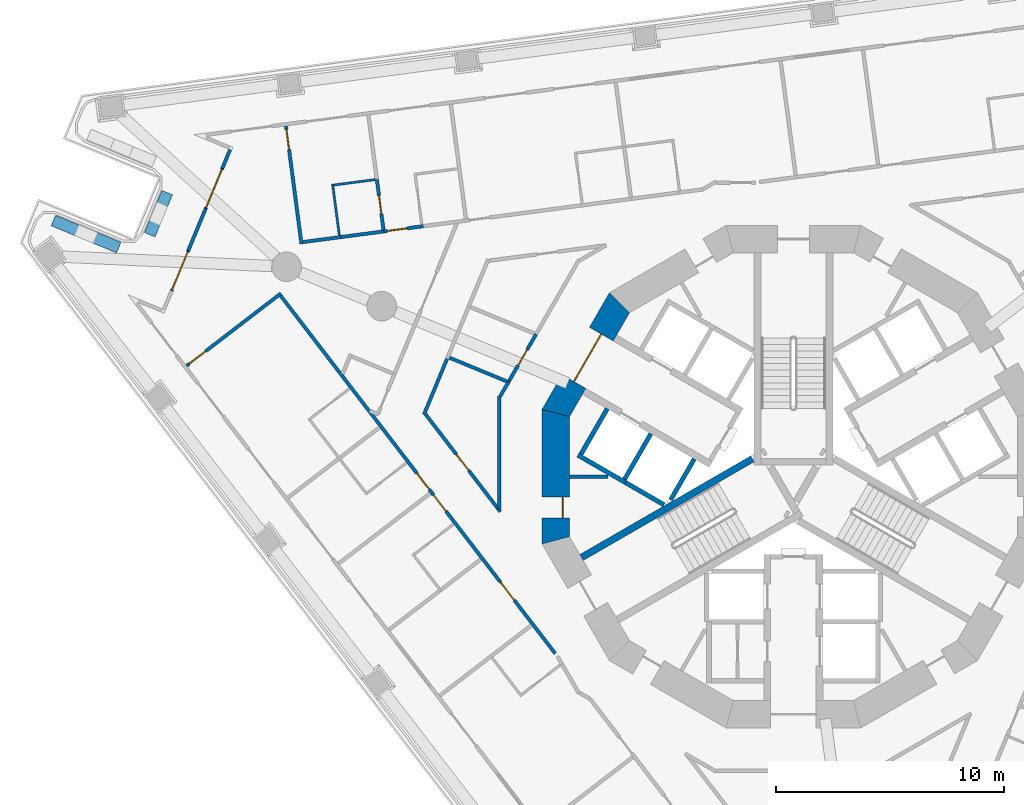
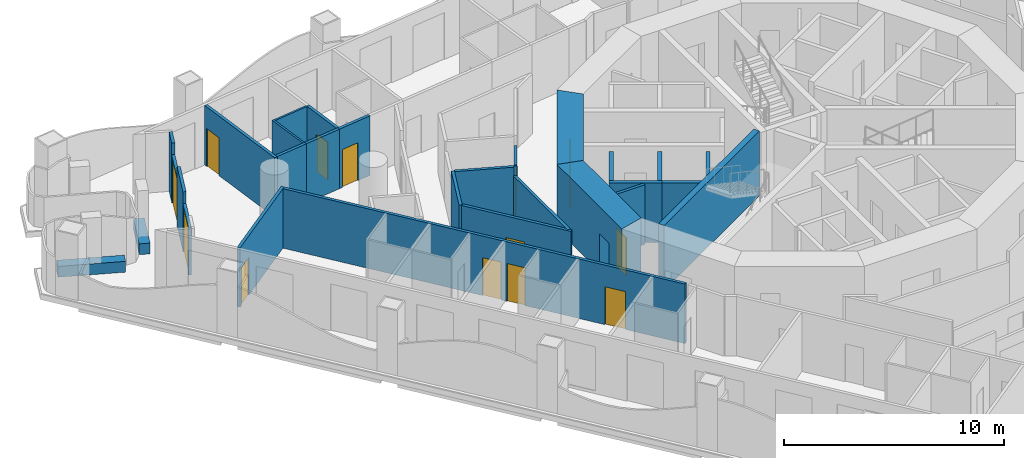
# One storey, part 6 of 19: 30 walls, 13 doors, 13 openings.
"""IFC4 building model written with IfcOpenShell, lengths in metres."""

from ifc_helpers import new_model, si_unit, direction, frame, frame_2d, origin, place, context, subcontext, project, spatial, polyline, rectangle, outline, extrude, material, layer, layer_set, type_object, element, fill, save


model = new_model("IFC4")

# Units and contexts
model_context = context("Model", 3, precision=1e-05, world=origin(), true_north=direction((0.0, 1.0)))
body_context = subcontext(model_context, "Body", "Model", "MODEL_VIEW")
ifc_project = project(units=[si_unit("LENGTHUNIT", "METRE"), si_unit("AREAUNIT", "SQUARE_METRE"), si_unit("VOLUMEUNIT", "CUBIC_METRE"), si_unit("PLANEANGLEUNIT", "RADIAN"), si_unit("MASSUNIT", "GRAM", prefix="KILO")], contexts=[model_context])

# Site, building, storey
site_placement = place(None, origin())
site = spatial("IfcSite", under=ifc_project, at=site_placement, CompositionType="ELEMENT")
building_placement = place(site_placement, origin())
building = spatial("IfcBuilding", under=site, at=building_placement, Name="Trine Commons Tower", CompositionType="ELEMENT")
storey_placement = place(building_placement, frame((0.0, 0.0, 64.800048828125)))
storey = spatial("IfcBuildingStorey", under=building, at=storey_placement, Name="L15", CompositionType="ELEMENT", Elevation=64.800048828125)

# Wall
ifc_material_1 = material(Name="Plasterboard partition on steel studs", Category="steel")
ifc_layer_1 = layer(ifc_material_1, 0.14990234375)
ifc_layer_set_1 = layer_set([ifc_layer_1], Name="Plasterboard partition on steel studs")
wall_type_1 = type_object("IfcWallType", Name="Core room partition 150 mm, EI 60", PredefinedType="PARTITIONING", material=ifc_layer_set_1)
wall_1_placement = place(storey_placement, frame((70.18798828125, 62.5, 0.0), z_axis=(0.0, 0.0, 1.0), x_axis=(1.0, 0.0, 0.0)))
element("IfcWall", 1, at=wall_1_placement, inside=storey, type_object=wall_type_1, Name="Core room partition L15", PredefinedType="PARTITIONING", context=body_context, shape_type="SweptSolid", body=[
    extrude(rectangle(XDim=1.68310546875, YDim=0.14990234375, at=frame_2d((0.841552734375, 0.0))), origin(), (0.0, 0.0, 1.0), 3.300048828125),
])

# Wall, opening, door
ifc_material_2 = material(Name="Aluminium-framed insulated wall panel", Category="aluminium")
ifc_layer_2 = layer(ifc_material_2, 0.14990234375)
ifc_layer_set_2 = layer_set([ifc_layer_2], Name="Aluminium-framed insulated wall panel")
wall_type_2 = type_object("IfcWallType", Name="Glazed frame wall 150, EI 60", PredefinedType="SOLIDWALL", material=ifc_layer_set_2)
wall_2_placement = place(storey_placement, frame((52.7548828125, 70.646240234375, 0.0), z_axis=(0.0, 0.0, 1.0), x_axis=(0.382771661121, 0.923842982028, 0.0)))
wall_2 = element("IfcWall", 2, at=wall_2_placement, inside=storey, type_object=wall_type_2, Name="Glazed frame wall P1.2", PredefinedType="SOLIDWALL", context=body_context, shape_type="SweptSolid", body=[
    extrude(outline(polyline([(0.0, -0.074951171875), (1.89990234375, -0.074951171875), (1.89990234375, 0.074951171875), (0.0, 0.074951171875), (0.0, -0.074951171875)])), origin(), (0.0, 0.0, 1.0), 2.64990234375),
])
opening_1_placement = place(wall_2_placement, frame((0.050048828125, 0.0, 0.0)))
opening_1 = element("IfcOpeningElement", 3, at=opening_1_placement, cuts=wall_2, Name="Opening BD-2P1-01", PredefinedType="OPENING", context=body_context, shape_type="SweptSolid", body=[
    extrude(rectangle(XDim=1.800048828125, YDim=2.60009765625, at=frame_2d((0.89990234375, 1.300048828125))), frame((0.0, 0.0849609375, 0.0), z_axis=(0.0, -1.0, 0.0), x_axis=(1.0, 0.0, 0.0)), (0.0, 0.0, 1.0), 0.169921875),
])
ifc_material_3 = material(Name="Anodised aluminium frame with double glazing", Category="aluminium")
door_type_1 = type_object("IfcDoorType", Name="Sliding loggia door 1800x2600", OperationType="SLIDING_TO_LEFT", PredefinedType="DOOR", material=ifc_material_3)
door_1_placement = place(opening_1_placement, origin())
door_1 = element("IfcDoor", 4, at=door_1_placement, inside=storey, type_object=door_type_1, Name="Loggia door P1 1", OperationType="SLIDING_TO_LEFT", OverallHeight=2.60009765625, OverallWidth=1.800048828125, PredefinedType="DOOR", context=body_context, shape_type="SweptSolid", body=[
    extrude(rectangle(XDim=1.800048828125, YDim=2.60009765625, at=frame_2d((0.89990234375, 1.300048828125))), frame((0.0, 0.02490234375, 0.0), z_axis=(0.0, -1.0, 0.0), x_axis=(1.0, 0.0, 0.0)), (0.0, 0.0, 1.0), 0.050048828125),
])
fill(opening_1, door_1)

# Wall
wall_3_placement = place(storey_placement, frame((53.482177734375, 72.401611328125, 0.0), z_axis=(0.0, 0.0, 1.0), x_axis=(0.382664423091, 0.923887406181, 0.0)))
element("IfcWall", 5, at=wall_3_placement, inside=storey, type_object=wall_type_2, Name="Glazed frame wall P1.3", PredefinedType="SOLIDWALL", context=body_context, shape_type="SweptSolid", body=[
    extrude(outline(polyline([(0.0, -0.074951171875), (2.0, -0.074951171875), (2.0, 0.074951171875), (0.0, 0.074951171875), (0.0, -0.074951171875)])), origin(), (0.0, 0.0, 1.0), 3.300048828125),
])

# Wall, opening, door
wall_4_placement = place(storey_placement, frame((54.24755859375, 74.24951171875, 0.0), z_axis=(0.0, 0.0, 1.0), x_axis=(0.382661988648, 0.923888414498, 0.0)))
wall_4 = element("IfcWall", 6, at=wall_4_placement, inside=storey, type_object=wall_type_2, Name="Glazed frame wall P1.4", PredefinedType="SOLIDWALL", context=body_context, shape_type="SweptSolid", body=[
    extrude(outline(polyline([(0.0, -0.074951171875), (1.89990234375, -0.074951171875), (1.89990234375, 0.074951171875), (0.0, 0.074951171875), (0.0, -0.074951171875)])), origin(), (0.0, 0.0, 1.0), 2.64990234375),
])
opening_2_placement = place(wall_4_placement, frame((0.050048828125, 0.0, 0.0)))
opening_2 = element("IfcOpeningElement", 7, at=opening_2_placement, cuts=wall_4, Name="Opening BD-2P1-02", PredefinedType="OPENING", context=body_context, shape_type="SweptSolid", body=[
    extrude(rectangle(XDim=1.800048828125, YDim=2.60009765625, at=frame_2d((0.89990234375, 1.300048828125))), frame((0.0, 0.0849609375, 0.0), z_axis=(0.0, -1.0, 0.0), x_axis=(1.0, 0.0, 0.0)), (0.0, 0.0, 1.0), 0.169921875),
])
door_2_placement = place(opening_2_placement, origin())
door_2 = element("IfcDoor", 8, at=door_2_placement, inside=storey, type_object=door_type_1, Name="Loggia door P1 2", OperationType="SLIDING_TO_LEFT", OverallHeight=2.60009765625, OverallWidth=1.800048828125, PredefinedType="DOOR", context=body_context, shape_type="SweptSolid", body=[
    extrude(rectangle(XDim=1.800048828125, YDim=2.60009765625, at=frame_2d((0.89990234375, 1.300048828125))), frame((0.0, 0.02490234375, 0.0), z_axis=(0.0, -1.0, 0.0), x_axis=(1.0, 0.0, 0.0)), (0.0, 0.0, 1.0), 0.050048828125),
])
fill(opening_2, door_2)

# Walls
wall_5_placement = place(storey_placement, frame((54.974609375, 76.0048828125, 0.0), z_axis=(0.0, 0.0, 1.0), x_axis=(0.382811769845, 0.923826362943, 0.0)))
element("IfcWall", 9, at=wall_5_placement, inside=storey, type_object=wall_type_2, Name="Glazed frame wall P1.5", PredefinedType="SOLIDWALL", context=body_context, shape_type="SweptSolid", body=[
    extrude(outline(polyline([(0.889892578125, 0.074951171875), (0.0, 0.074951171875), (0.0, -0.074951171875), (0.889892578125, -0.074951171875), (0.889892578125, 0.074951171875)])), origin(), (0.0, 0.0, 1.0), 3.300048828125),
])
ifc_material_4 = material(Name="Planter trough, precast concrete C40/50", Category="concrete")
ifc_layer_3 = layer(ifc_material_4, 0.5)
ifc_layer_set_3 = layer_set([ifc_layer_3], Name="Planter trough, precast concrete C40/50")
wall_type_3 = type_object("IfcWallType", Name="Planter trough 500x600", PredefinedType="PARAPET", material=ifc_layer_set_3)
wall_6_placement = place(storey_placement, frame((47.5732421875, 73.723388671875, 0.0), z_axis=(0.0, 0.0, 1.0), x_axis=(0.923883411188, -0.382674068277, 0.0)))
element("IfcWall", 10, at=wall_6_placement, inside=storey, type_object=wall_type_3, Name="Planter 1", PredefinedType="PARAPET", context=body_context, shape_type="SweptSolid", body=[
    extrude(rectangle(XDim=3.099853515625, YDim=0.5, at=frame_2d((1.5498046875, 0.0))), origin(), (0.0, 0.0, 1.0), 0.599853515625),
])
wall_7_placement = place(storey_placement, frame((51.796142578125, 73.10009765625, 0.0), z_axis=(0.0, 0.0, 1.0), x_axis=(0.382603377961, 0.923912688068, 0.0)))
element("IfcWall", 11, at=wall_7_placement, inside=storey, type_object=wall_type_3, Name="Planter 2", PredefinedType="PARAPET", context=body_context, shape_type="SweptSolid", body=[
    extrude(rectangle(XDim=1.999755859375, YDim=0.5, at=frame_2d((1.0, 0.0))), origin(), (0.0, 0.0, 1.0), 0.599853515625),
])

# Wall, opening, door
ifc_material_5 = material(Name="Concrete C80/95", Category="concrete")
ifc_layer_4 = layer(ifc_material_5, 1.199951171875)
ifc_layer_set_4 = layer_set([ifc_layer_4], Name="Concrete C80/95")
wall_type_4 = type_object("IfcWallType", Name="RC shear wall 1200 mm, C80/95", PredefinedType="SHEAR", material=ifc_layer_set_4)
wall_8_placement = place(storey_placement, frame((72.45849609375, 70.260986328125, 0.0), z_axis=(0.0, 0.0, 1.0), x_axis=(-0.499979111662, -0.866037463336, 0.0)))
wall_8 = element("IfcWall", 12, at=wall_8_placement, inside=storey, type_object=wall_type_4, Name="Core wall CWB-06 L15", PredefinedType="SHEAR", context=body_context, shape_type="SweptSolid", body=[
    extrude(outline(polyline([(0.0, -0.60009765625), (5.901123046875, -0.60009765625), (5.57958984375, 0.60009765625), (0.321533203125, 0.60009765625), (0.0, -0.60009765625)])), origin(), (0.0, 0.0, 1.0), 3.599853515625),
])
opening_3_placement = place(wall_8_placement, frame((1.75048828125, 0.0, 0.0)))
opening_3 = element("IfcOpeningElement", 13, at=opening_3_placement, cuts=wall_8, Name="Opening K06.06", PredefinedType="OPENING", context=body_context, shape_type="SweptSolid", body=[
    extrude(rectangle(XDim=2.39990234375, YDim=2.10009765625, at=frame_2d((1.199951171875, 1.050048828125))), frame((0.0, 0.60986328125, 0.0), z_axis=(0.0, -1.0, 0.0), x_axis=(1.0, 0.0, 0.0)), (0.0, 0.0, 1.0), 1.219970703125),
])
ifc_material_6 = material(Name="Steel door leaves, fire-rated", Category="steel")
door_type_2 = type_object("IfcDoorType", Name="Lobby door, double leaf 2400 x 2100, FD60", OperationType="DOUBLE_DOOR_SINGLE_SWING", PredefinedType="DOOR", material=ifc_material_6)
door_3_placement = place(opening_3_placement, origin())
door_3 = element("IfcDoor", 14, at=door_3_placement, inside=storey, type_object=door_type_2, Name="Lobby door, Passenger lift lobby B L15", OperationType="DOUBLE_DOOR_SINGLE_SWING", OverallHeight=2.10009765625, OverallWidth=2.39990234375, PredefinedType="DOOR", context=body_context, shape_type="SweptSolid", body=[
    extrude(rectangle(XDim=2.39990234375, YDim=2.10009765625, at=frame_2d((1.199951171875, 1.050048828125))), frame((0.0, 0.02490234375, 0.0), z_axis=(0.0, -1.0, 0.0), x_axis=(1.0, 0.0, 0.0)), (0.0, 0.0, 1.0), 0.050048828125),
])
fill(opening_3, door_3)

wall_9_placement = place(storey_placement, frame((69.58837890625, 65.450439453125, 0.0), z_axis=(0.0, 0.0, 1.0), x_axis=(0.0, -1.0, 0.0)))
wall_9 = element("IfcWall", 15, at=wall_9_placement, inside=storey, type_object=wall_type_4, Name="Core wall CWB-07 L15", PredefinedType="SHEAR", context=body_context, shape_type="SweptSolid", body=[
    extrude(outline(polyline([(0.0, -0.60009765625), (5.90087890625, -0.60009765625), (5.57958984375, 0.60009765625), (0.321533203125, 0.60009765625), (0.0, -0.60009765625)])), origin(), (0.0, 0.0, 1.0), 3.599853515625),
])
opening_4_placement = place(wall_9_placement, frame((3.8505859375, 0.0, 0.0)))
opening_4 = element("IfcOpeningElement", 16, at=opening_4_placement, cuts=wall_9, Name="Opening K06.14", PredefinedType="OPENING", context=body_context, shape_type="SweptSolid", body=[
    extrude(rectangle(XDim=0.89990234375, YDim=2.10009765625, at=frame_2d((0.449951171875, 1.050048828125))), frame((0.0, 0.60986328125, 0.0), z_axis=(0.0, -1.0, 0.0), x_axis=(1.0, 0.0, 0.0)), (0.0, 0.0, 1.0), 1.219970703125),
])
ifc_material_7 = material(Name="Steel door leaf, fire-rated", Category="steel")
door_type_3 = type_object("IfcDoorType", Name="Core room door, single leaf 900 x 2100, FD30S", OperationType="SINGLE_SWING_LEFT", PredefinedType="DOOR", material=ifc_material_7)
door_4_placement = place(opening_4_placement, origin())
door_4 = element("IfcDoor", 17, at=door_4_placement, inside=storey, type_object=door_type_3, Name="Door to Comms room L15", OperationType="SINGLE_SWING_RIGHT", OverallHeight=2.10009765625, OverallWidth=0.89990234375, PredefinedType="DOOR", context=body_context, shape_type="SweptSolid", body=[
    extrude(rectangle(XDim=0.89990234375, YDim=2.10009765625, at=frame_2d((0.449951171875, 1.050048828125))), frame((0.0, 0.3251953125, 0.0), z_axis=(0.0, -1.0, 0.0), x_axis=(1.0, 0.0, 0.0)), (0.0, 0.0, 1.0), 0.050048828125),
])
fill(opening_4, door_4)

# Walls
ifc_layer_5 = layer(ifc_material_5, 0.300048828125)
ifc_layer_set_5 = layer_set([ifc_layer_5], Name="Concrete C80/95")
wall_type_5 = type_object("IfcWallType", Name="RC shear wall 300 mm, C80/95", PredefinedType="SHEAR", material=ifc_layer_set_5)
wall_10_placement = place(storey_placement, frame((78.199951171875, 63.280029296875, 0.0), z_axis=(0.0, 0.0, 1.0), x_axis=(-0.865965399159, -0.500103916661, 0.0)))
element("IfcWall", 18, at=wall_10_placement, inside=storey, type_object=wall_type_5, Name="Core cross wall SWA-07 L15", PredefinedType="SHEAR", context=body_context, shape_type="SweptSolid", body=[
    extrude(rectangle(XDim=8.642333984375, YDim=0.300048828125, at=frame_2d((4.3212890625, 0.0))), origin(), (0.0, 0.0, 1.0), 3.599853515625),
])
ifc_material_8 = material(Name="Fire-rated gypsum shaft wall system")
ifc_layer_6 = layer(ifc_material_8, 0.199951171875)
ifc_layer_set_6 = layer_set([ifc_layer_6], Name="Fire-rated gypsum shaft wall system")
wall_type_6 = type_object("IfcWallType", Name="Shaft wall 200 mm, EI 120", PredefinedType="PARTITIONING", material=ifc_layer_set_6)
wall_11_placement = place(storey_placement, frame((71.844970703125, 65.47607421875, 0.0), z_axis=(0.0, 0.0, 1.0), x_axis=(-0.500136062276, -0.86594683394, 0.0)))
element("IfcWall", 19, at=wall_11_placement, inside=storey, type_object=wall_type_6, Name="Shaft wall L15", PredefinedType="PARTITIONING", context=body_context, shape_type="SweptSolid", body=[
    extrude(rectangle(XDim=2.299072265625, YDim=0.199951171875, at=frame_2d((1.1494140625, 0.0))), origin(), (0.0, 0.0, 1.0), 3.300048828125),
])
wall_12_placement = place(storey_placement, frame((72.637939453125, 62.248046875, 0.0), z_axis=(0.0, 0.0, 1.0), x_axis=(-0.866177122335, 0.499737123639, 0.0)))
element("IfcWall", 20, at=wall_12_placement, inside=storey, type_object=wall_type_6, Name="Shaft wall L15", PredefinedType="PARTITIONING", context=body_context, shape_type="SweptSolid", body=[
    extrude(rectangle(XDim=2.401123046875, YDim=0.199951171875, at=frame_2d((1.20068359375, 0.0))), origin(), (0.0, 0.0, 1.0), 3.300048828125),
])
wall_13_placement = place(storey_placement, frame((73.7509765625, 64.3759765625, 0.0), z_axis=(0.0, 0.0, 1.0), x_axis=(-0.500136062276, -0.86594683394, 0.0)))
element("IfcWall", 21, at=wall_13_placement, inside=storey, type_object=wall_type_6, Name="Shaft wall L15", PredefinedType="PARTITIONING", context=body_context, shape_type="SweptSolid", body=[
    extrude(rectangle(XDim=2.299072265625, YDim=0.199951171875, at=frame_2d((1.1494140625, 0.0))), origin(), (0.0, 0.0, 1.0), 3.300048828125),
])
wall_14_placement = place(storey_placement, frame((74.324951171875, 61.27294921875, 0.0), z_axis=(0.0, 0.0, 1.0), x_axis=(-0.865780634835, 0.500423712812, 0.0)))
element("IfcWall", 22, at=wall_14_placement, inside=storey, type_object=wall_type_6, Name="Shaft wall L15", PredefinedType="PARTITIONING", context=body_context, shape_type="SweptSolid", body=[
    extrude(rectangle(XDim=1.948486328125, YDim=0.199951171875, at=frame_2d((0.97412109375, 0.0))), origin(), (0.0, 0.0, 1.0), 3.300048828125),
])
wall_15_placement = place(storey_placement, frame((75.656005859375, 63.27587890625, 0.0), z_axis=(0.0, 0.0, 1.0), x_axis=(-0.500271688072, -0.86586848777, 0.0)))
element("IfcWall", 23, at=wall_15_placement, inside=storey, type_object=wall_type_6, Name="Shaft wall L15", PredefinedType="PARTITIONING", context=body_context, shape_type="SweptSolid", body=[
    extrude(rectangle(XDim=2.064697265625, YDim=0.199951171875, at=frame_2d((1.0322265625, 0.0))), origin(), (0.0, 0.0, 1.0), 3.300048828125),
])

# Wall, opening, door
ifc_material_9 = material(Name="Gypsum plasterboard on steel stud", Category="steel")
ifc_layer_7 = layer(ifc_material_9, 0.14990234375)
ifc_layer_set_7 = layer_set([ifc_layer_7], Name="Gypsum plasterboard on steel stud")
wall_type_7 = type_object("IfcWallType", Name="Unit and corridor wall 150 mm, EI 60", PredefinedType="PARTITIONING", material=ifc_layer_set_7)
wall_16_placement = place(storey_placement, frame((53.41162109375, 67.3583984375, 0.0), z_axis=(0.0, 0.0, 1.0), x_axis=(0.793382437727, 0.608723506616, 0.0)))
wall_16 = element("IfcWall", 24, at=wall_16_placement, inside=storey, type_object=wall_type_7, Name="Partition 001", PredefinedType="PARTITIONING", context=body_context, shape_type="SweptSolid", body=[
    extrude(rectangle(XDim=5.213134765625, YDim=0.14990234375, at=frame_2d((2.6064453125, 0.0))), origin(), (0.0, 0.0, 1.0), 3.300048828125),
])
opening_5_placement = place(wall_16_placement, frame((0.14990234375, 0.0, 0.0)))
opening_5 = element("IfcOpeningElement", 25, at=opening_5_placement, cuts=wall_16, Name="Opening D-2B30", PredefinedType="OPENING", context=body_context, shape_type="SweptSolid", body=[
    extrude(rectangle(XDim=0.89990234375, YDim=2.10009765625, at=frame_2d((0.449951171875, 1.050048828125))), frame((0.0, 0.0849609375, 0.0), z_axis=(0.0, -1.0, 0.0), x_axis=(1.0, 0.0, 0.0)), (0.0, 0.0, 1.0), 0.169921875),
])
ifc_material_10 = material(Name="Timber fire door set", Category="wood")
door_type_4 = type_object("IfcDoorType", Name="Bedroom door 900 x 2100, FD30S", OperationType="NOTDEFINED", PredefinedType="DOOR", material=ifc_material_10)
door_5_placement = place(opening_5_placement, frame((0.89990234375, 0.0, 0.0), z_axis=(0.0, 0.0, 1.0), x_axis=(-1.0, 0.0, 0.0)))
door_5 = element("IfcDoor", 26, at=door_5_placement, inside=storey, type_object=door_type_4, Name="Door D-2B30", OperationType="SINGLE_SWING_RIGHT", OverallHeight=2.10009765625, OverallWidth=0.89990234375, PredefinedType="DOOR", context=body_context, shape_type="SweptSolid", body=[
    extrude(rectangle(XDim=0.89990234375, YDim=2.10009765625, at=frame_2d((0.449951171875, 1.050048828125))), frame((0.0, 0.02490234375, 0.0), z_axis=(0.0, -1.0, 0.0), x_axis=(1.0, 0.0, 0.0)), (0.0, 0.0, 1.0), 0.050048828125),
])
fill(opening_5, door_5)

# Wall, openings, doors
wall_17_placement = place(storey_placement, frame((57.53369140625, 70.426513671875, 0.0), z_axis=(0.0, 0.0, 1.0), x_axis=(0.608794371867, -0.793328061261, 0.0)))
wall_17 = element("IfcWall", 27, at=wall_17_placement, inside=storey, type_object=wall_type_7, Name="Partition 002", PredefinedType="PARTITIONING", context=body_context, shape_type="SweptSolid", body=[
    extrude(rectangle(XDim=19.75927734375, YDim=0.14990234375, at=frame_2d((9.879638671875, 0.0))), origin(), (0.0, 0.0, 1.0), 3.300048828125),
])
opening_6_placement = place(wall_17_placement, frame((15.8212890625, 0.0, 0.0)))
opening_6 = element("IfcOpeningElement", 28, at=opening_6_placement, cuts=wall_17, Name="Opening D-2B27", PredefinedType="OPENING", context=body_context, shape_type="SweptSolid", body=[
    extrude(rectangle(XDim=1.0, YDim=2.10009765625, at=frame_2d((0.5, 1.050048828125))), frame((0.0, 0.0849609375, 0.0), z_axis=(0.0, -1.0, 0.0), x_axis=(1.0, 0.0, 0.0)), (0.0, 0.0, 1.0), 0.169921875),
])
opening_7_placement = place(wall_17_placement, frame((11.00634765625, 0.0, 0.0)))
opening_7 = element("IfcOpeningElement", 29, at=opening_7_placement, cuts=wall_17, Name="Opening D-2B28", PredefinedType="OPENING", context=body_context, shape_type="SweptSolid", body=[
    extrude(rectangle(XDim=0.89990234375, YDim=2.10009765625, at=frame_2d((0.449951171875, 1.050048828125))), frame((0.0, 0.0849609375, 0.0), z_axis=(0.0, -1.0, 0.0), x_axis=(1.0, 0.0, 0.0)), (0.0, 0.0, 1.0), 0.169921875),
])
opening_8_placement = place(wall_17_placement, frame((9.806396484375, 0.0, 0.0)))
opening_8 = element("IfcOpeningElement", 30, at=opening_8_placement, cuts=wall_17, Name="Opening D-2B29", PredefinedType="OPENING", context=body_context, shape_type="SweptSolid", body=[
    extrude(rectangle(XDim=0.89990234375, YDim=2.10009765625, at=frame_2d((0.449951171875, 1.050048828125))), frame((0.0, 0.0849609375, 0.0), z_axis=(0.0, -1.0, 0.0), x_axis=(1.0, 0.0, 0.0)), (0.0, 0.0, 1.0), 0.169921875),
])
ifc_material_11 = material(Name="Painted timber", Category="wood")
door_type_5 = type_object("IfcDoorType", Name="Amenity room door 1000 x 2100, NOT RATED", OperationType="NOTDEFINED", PredefinedType="DOOR", material=ifc_material_11)
door_6_placement = place(opening_6_placement, frame((1.0, 0.0, 0.0), z_axis=(0.0, 0.0, 1.0), x_axis=(-1.0, 0.0, 0.0)))
door_6 = element("IfcDoor", 31, at=door_6_placement, inside=storey, type_object=door_type_5, Name="Door D-2B27", OperationType="SINGLE_SWING_LEFT", OverallHeight=2.10009765625, OverallWidth=1.0, PredefinedType="DOOR", context=body_context, shape_type="SweptSolid", body=[
    extrude(rectangle(XDim=1.0, YDim=2.10009765625, at=frame_2d((0.5, 1.050048828125))), frame((0.0, 0.02490234375, 0.0), z_axis=(0.0, -1.0, 0.0), x_axis=(1.0, 0.0, 0.0)), (0.0, 0.0, 1.0), 0.050048828125),
])
fill(opening_6, door_6)
door_7_placement = place(opening_7_placement, frame((0.89990234375, 0.0, 0.0), z_axis=(0.0, 0.0, 1.0), x_axis=(-1.0, 0.0, 0.0)))
door_7 = element("IfcDoor", 32, at=door_7_placement, inside=storey, type_object=door_type_4, Name="Door D-2B28", OperationType="SINGLE_SWING_LEFT", OverallHeight=2.10009765625, OverallWidth=0.89990234375, PredefinedType="DOOR", context=body_context, shape_type="SweptSolid", body=[
    extrude(rectangle(XDim=0.89990234375, YDim=2.10009765625, at=frame_2d((0.449951171875, 1.050048828125))), frame((0.0, 0.02490234375, 0.0), z_axis=(0.0, -1.0, 0.0), x_axis=(1.0, 0.0, 0.0)), (0.0, 0.0, 1.0), 0.050048828125),
])
fill(opening_7, door_7)
door_8_placement = place(opening_8_placement, frame((0.89990234375, 0.0, 0.0), z_axis=(0.0, 0.0, 1.0), x_axis=(-1.0, 0.0, 0.0)))
door_8 = element("IfcDoor", 33, at=door_8_placement, inside=storey, type_object=door_type_4, Name="Door D-2B29", OperationType="SINGLE_SWING_LEFT", OverallHeight=2.10009765625, OverallWidth=0.89990234375, PredefinedType="DOOR", context=body_context, shape_type="SweptSolid", body=[
    extrude(rectangle(XDim=0.89990234375, YDim=2.10009765625, at=frame_2d((0.449951171875, 1.050048828125))), frame((0.0, 0.02490234375, 0.0), z_axis=(0.0, -1.0, 0.0), x_axis=(1.0, 0.0, 0.0)), (0.0, 0.0, 1.0), 0.050048828125),
])
fill(opening_8, door_8)

# Wall, opening, door
wall_18_placement = place(storey_placement, frame((57.76416015625, 77.8662109375, 0.0), z_axis=(0.0, 0.0, 1.0), x_axis=(0.130538083061, -0.991443295842, 0.0)))
wall_18 = element("IfcWall", 34, at=wall_18_placement, inside=storey, type_object=wall_type_7, Name="Partition 003", PredefinedType="PARTITIONING", context=body_context, shape_type="SweptSolid", body=[
    extrude(rectangle(XDim=5.21435546875, YDim=0.14990234375, at=frame_2d((2.607177734375, 0.0))), origin(), (0.0, 0.0, 1.0), 3.300048828125),
])
opening_9_placement = place(wall_18_placement, frame((0.14990234375, 0.0, 0.0)))
opening_9 = element("IfcOpeningElement", 35, at=opening_9_placement, cuts=wall_18, Name="Opening D-2B07", PredefinedType="OPENING", context=body_context, shape_type="SweptSolid", body=[
    extrude(rectangle(XDim=0.89990234375, YDim=2.10009765625, at=frame_2d((0.449951171875, 1.050048828125))), frame((0.0, 0.0849609375, 0.0), z_axis=(0.0, -1.0, 0.0), x_axis=(1.0, 0.0, 0.0)), (0.0, 0.0, 1.0), 0.169921875),
])
door_9_placement = place(opening_9_placement, origin())
door_9 = element("IfcDoor", 36, at=door_9_placement, inside=storey, type_object=door_type_4, Name="Door D-2B07", OperationType="SINGLE_SWING_LEFT", OverallHeight=2.10009765625, OverallWidth=0.89990234375, PredefinedType="DOOR", context=body_context, shape_type="SweptSolid", body=[
    extrude(rectangle(XDim=0.89990234375, YDim=2.10009765625, at=frame_2d((0.449951171875, 1.050048828125))), frame((0.0, 0.02490234375, 0.0), z_axis=(0.0, -1.0, 0.0), x_axis=(1.0, 0.0, 0.0)), (0.0, 0.0, 1.0), 0.050048828125),
])
fill(opening_9, door_9)

# Walls
wall_19_placement = place(storey_placement, frame((58.509521484375, 72.78076171875, 0.0), z_axis=(0.0, 0.0, 1.0), x_axis=(0.99149595725, 0.13013749174, 0.0)))
element("IfcWall", 37, at=wall_19_placement, inside=storey, type_object=wall_type_7, Name="Partition 005", PredefinedType="PARTITIONING", context=body_context, shape_type="SweptSolid", body=[
    extrude(rectangle(XDim=1.67333984375, YDim=0.14990234375, at=frame_2d((0.836669921875, 0.0))), origin(), (0.0, 0.0, 1.0), 3.300048828125),
])
wall_20_placement = place(storey_placement, frame((60.111083984375, 72.990966796875, 0.0), z_axis=(0.0, 0.0, 1.0), x_axis=(0.991437274098, 0.130583810365, 0.0)))
element("IfcWall", 38, at=wall_20_placement, inside=storey, type_object=wall_type_7, Name="Partition 012", PredefinedType="PARTITIONING", context=body_context, shape_type="SweptSolid", body=[
    extrude(rectangle(XDim=1.953857421875, YDim=0.14990234375, at=frame_2d((0.97705078125, 0.0))), origin(), (0.0, 0.0, 1.0), 3.300048828125),
])

# Wall, opening, door
wall_21_placement = place(storey_placement, frame((61.748046875, 75.527099609375, 0.0), z_axis=(0.0, 0.0, 1.0), x_axis=(0.130309803154, -0.991473325512, 0.0)))
wall_21 = element("IfcWall", 39, at=wall_21_placement, inside=storey, type_object=wall_type_7, Name="Partition 018", PredefinedType="PARTITIONING", context=body_context, shape_type="SweptSolid", body=[
    extrude(rectangle(XDim=2.225830078125, YDim=0.14990234375, at=frame_2d((1.11279296875, 0.0))), origin(), (0.0, 0.0, 1.0), 3.300048828125),
])
opening_10_placement = place(wall_21_placement, frame((0.712890625, 0.0, 0.0)))
opening_10 = element("IfcOpeningElement", 40, at=opening_10_placement, cuts=wall_21, Name="Opening D-2B38", PredefinedType="OPENING", context=body_context, shape_type="SweptSolid", body=[
    extrude(rectangle(XDim=0.800048828125, YDim=2.10009765625, at=frame_2d((0.39990234375, 1.050048828125))), frame((0.0, 0.0849609375, 0.0), z_axis=(0.0, -1.0, 0.0), x_axis=(1.0, 0.0, 0.0)), (0.0, 0.0, 1.0), 0.169921875),
])
door_type_6 = type_object("IfcDoorType", Name="Internal door 800 x 2100, NOT RATED", OperationType="NOTDEFINED", PredefinedType="DOOR", material=ifc_material_11)
door_10_placement = place(opening_10_placement, origin())
door_10 = element("IfcDoor", 41, at=door_10_placement, inside=storey, type_object=door_type_6, Name="Door D-2B38", OperationType="SINGLE_SWING_LEFT", OverallHeight=2.10009765625, OverallWidth=0.800048828125, PredefinedType="DOOR", context=body_context, shape_type="SweptSolid", body=[
    extrude(rectangle(XDim=0.800048828125, YDim=2.10009765625, at=frame_2d((0.39990234375, 1.050048828125))), frame((0.0, 0.02490234375, 0.0), z_axis=(0.0, -1.0, 0.0), x_axis=(1.0, 0.0, 0.0)), (0.0, 0.0, 1.0), 0.050048828125),
])
fill(opening_10, door_10)

wall_22_placement = place(storey_placement, frame((62.048095703125, 73.24609375, 0.0), z_axis=(0.0, 0.0, 1.0), x_axis=(0.991412396829, 0.130772548398, 0.0)))
wall_22 = element("IfcWall", 42, at=wall_22_placement, inside=storey, type_object=wall_type_7, Name="Partition 020", PredefinedType="PARTITIONING", context=body_context, shape_type="SweptSolid", body=[
    extrude(rectangle(XDim=1.747314453125, YDim=0.14990234375, at=frame_2d((0.87353515625, 0.0))), origin(), (0.0, 0.0, 1.0), 3.300048828125),
])
opening_11_placement = place(wall_22_placement, frame((0.14990234375, 0.0, 0.0)))
opening_11 = element("IfcOpeningElement", 43, at=opening_11_placement, cuts=wall_22, Name="Opening D-2B08", PredefinedType="OPENING", context=body_context, shape_type="SweptSolid", body=[
    extrude(rectangle(XDim=0.89990234375, YDim=2.10009765625, at=frame_2d((0.449951171875, 1.050048828125))), frame((0.0, 0.0849609375, 0.0), z_axis=(0.0, -1.0, 0.0), x_axis=(1.0, 0.0, 0.0)), (0.0, 0.0, 1.0), 0.169921875),
])
door_11_placement = place(opening_11_placement, origin())
door_11 = element("IfcDoor", 44, at=door_11_placement, inside=storey, type_object=door_type_4, Name="Door D-2B08", OperationType="SINGLE_SWING_LEFT", OverallHeight=2.10009765625, OverallWidth=0.89990234375, PredefinedType="DOOR", context=body_context, shape_type="SweptSolid", body=[
    extrude(rectangle(XDim=0.89990234375, YDim=2.10009765625, at=frame_2d((0.449951171875, 1.050048828125))), frame((0.0, 0.02490234375, 0.0), z_axis=(0.0, -1.0, 0.0), x_axis=(1.0, 0.0, 0.0)), (0.0, 0.0, 1.0), 0.050048828125),
])
fill(opening_11, door_11)

# Wall
wall_23_placement = place(storey_placement, frame((63.811279296875, 65.2197265625, 0.0), z_axis=(0.0, 0.0, 1.0), x_axis=(0.382485754441, 0.923961388614, 0.0)))
element("IfcWall", 45, at=wall_23_placement, inside=storey, type_object=wall_type_7, Name="Partition 028", PredefinedType="PARTITIONING", context=body_context, shape_type="SweptSolid", body=[
    extrude(rectangle(XDim=2.736328125, YDim=0.14990234375, at=frame_2d((1.3681640625, 0.0))), origin(), (0.0, 0.0, 1.0), 3.300048828125),
])

# Wall, opening, door
wall_24_placement = place(storey_placement, frame((63.8857421875, 65.2294921875, 0.0), z_axis=(0.0, 0.0, 1.0), x_axis=(0.608696503356, -0.793403155276, 0.0)))
wall_24 = element("IfcWall", 46, at=wall_24_placement, inside=storey, type_object=wall_type_7, Name="Partition 029", PredefinedType="PARTITIONING", context=body_context, shape_type="SweptSolid", body=[
    extrude(rectangle(XDim=5.376953125, YDim=0.14990234375, at=frame_2d((2.6884765625, 0.0))), origin(), (0.0, 0.0, 1.0), 3.300048828125),
])
opening_12_placement = place(wall_24_placement, frame((2.200927734375, 0.0, 0.0)))
opening_12 = element("IfcOpeningElement", 47, at=opening_12_placement, cuts=wall_24, Name="Opening D-2B32", PredefinedType="OPENING", context=body_context, shape_type="SweptSolid", body=[
    extrude(rectangle(XDim=0.89990234375, YDim=2.10009765625, at=frame_2d((0.449951171875, 1.050048828125))), frame((0.0, 0.0849609375, 0.0), z_axis=(0.0, -1.0, 0.0), x_axis=(1.0, 0.0, 0.0)), (0.0, 0.0, 1.0), 0.169921875),
])
door_type_7 = type_object("IfcDoorType", Name="Service door 900 x 2100, FD30S", OperationType="NOTDEFINED", PredefinedType="DOOR", material=ifc_material_10)
door_12_placement = place(opening_12_placement, origin())
door_12 = element("IfcDoor", 48, at=door_12_placement, inside=storey, type_object=door_type_7, Name="Door D-2B32", OperationType="SINGLE_SWING_LEFT", OverallHeight=2.10009765625, OverallWidth=0.89990234375, PredefinedType="DOOR", context=body_context, shape_type="SweptSolid", body=[
    extrude(rectangle(XDim=0.89990234375, YDim=2.10009765625, at=frame_2d((0.449951171875, 1.050048828125))), frame((0.0, 0.02490234375, 0.0), z_axis=(0.0, -1.0, 0.0), x_axis=(1.0, 0.0, 0.0)), (0.0, 0.0, 1.0), 0.050048828125),
])
fill(opening_12, door_12)

# Walls
wall_25_placement = place(storey_placement, frame((64.92626953125, 67.71533203125, 0.0), z_axis=(0.0, 0.0, 1.0), x_axis=(0.923886418472, -0.382666807761, 0.0)))
element("IfcWall", 49, at=wall_25_placement, inside=storey, type_object=wall_type_7, Name="Partition 034", PredefinedType="PARTITIONING", context=body_context, shape_type="SweptSolid", body=[
    extrude(rectangle(XDim=2.874755859375, YDim=0.14990234375, at=frame_2d((1.4375, 0.0))), origin(), (0.0, 0.0, 1.0), 3.300048828125),
])
wall_26_placement = place(storey_placement, frame((67.113037109375, 61.093994140625, 0.0), z_axis=(0.0, 0.0, 1.0), x_axis=(0.0, 1.0, 0.0)))
element("IfcWall", 50, at=wall_26_placement, inside=storey, type_object=wall_type_7, Name="Partition 042", PredefinedType="PARTITIONING", context=body_context, shape_type="SweptSolid", body=[
    extrude(rectangle(XDim=4.93408203125, YDim=0.14990234375, at=frame_2d((2.467041015625, 0.0))), origin(), (0.0, 0.0, 1.0), 3.300048828125),
])
wall_27_placement = place(storey_placement, frame((67.150390625, 66.01806640625, 0.0), z_axis=(0.0, 0.0, 1.0), x_axis=(0.499858068882, 0.866107332248, 0.0)))
element("IfcWall", 51, at=wall_27_placement, inside=storey, type_object=wall_type_7, Name="Partition 043", PredefinedType="PARTITIONING", context=body_context, shape_type="SweptSolid", body=[
    extrude(rectangle(XDim=0.727294921875, YDim=0.14990234375, at=frame_2d((0.36376953125, 0.0))), origin(), (0.0, 0.0, 1.0), 3.300048828125),
])

# Wall, opening, door
wall_28_placement = place(storey_placement, frame((67.547607421875, 66.704833984375, 0.0), z_axis=(0.0, 0.0, 1.0), x_axis=(0.500075472253, 0.865981825474, 0.0)))
wall_28 = element("IfcWall", 52, at=wall_28_placement, inside=storey, type_object=wall_type_7, Name="Partition 044", PredefinedType="PARTITIONING", context=body_context, shape_type="SweptSolid", body=[
    extrude(rectangle(XDim=2.354736328125, YDim=0.14990234375, at=frame_2d((1.17724609375, 0.0))), origin(), (0.0, 0.0, 1.0), 2.75),
])
opening_13_placement = place(wall_28_placement, frame((0.775390625, 0.0, 0.0)))
opening_13 = element("IfcOpeningElement", 53, at=opening_13_placement, cuts=wall_28, Name="Opening D-2B36", PredefinedType="OPENING", context=body_context, shape_type="SweptSolid", body=[
    extrude(rectangle(XDim=0.800048828125, YDim=2.10009765625, at=frame_2d((0.39990234375, 1.050048828125))), frame((0.0, 0.0849609375, 0.0), z_axis=(0.0, -1.0, 0.0), x_axis=(1.0, 0.0, 0.0)), (0.0, 0.0, 1.0), 0.169921875),
])
door_type_8 = type_object("IfcDoorType", Name="Toilet door 800 x 2100, NOT RATED", OperationType="NOTDEFINED", PredefinedType="DOOR", material=ifc_material_11)
door_13_placement = place(opening_13_placement, origin())
door_13 = element("IfcDoor", 54, at=door_13_placement, inside=storey, type_object=door_type_8, Name="Door D-2B36", OperationType="SINGLE_SWING_LEFT", OverallHeight=2.10009765625, OverallWidth=0.800048828125, PredefinedType="DOOR", context=body_context, shape_type="SweptSolid", body=[
    extrude(rectangle(XDim=0.800048828125, YDim=2.10009765625, at=frame_2d((0.39990234375, 1.050048828125))), frame((0.0, 0.02490234375, 0.0), z_axis=(0.0, -1.0, 0.0), x_axis=(1.0, 0.0, 0.0)), (0.0, 0.0, 1.0), 0.050048828125),
])
fill(opening_13, door_13)

# Walls
ifc_layer_8 = layer(ifc_material_9, 0.10009765625)
ifc_layer_set_8 = layer_set([ifc_layer_8], Name="Gypsum plasterboard on steel stud")
wall_type_8 = type_object("IfcWallType", Name="Unit partition 100 mm, no rating", PredefinedType="PARTITIONING", material=ifc_layer_set_8)
wall_29_placement = place(storey_placement, frame((59.8076171875, 75.321533203125, 0.0), z_axis=(0.0, 0.0, 1.0), x_axis=(0.13083486939, -0.991404174367, 0.0)))
element("IfcWall", 55, at=wall_29_placement, inside=storey, type_object=wall_type_8, Name="Partition 008", PredefinedType="PARTITIONING", context=body_context, shape_type="SweptSolid", body=[
    extrude(rectangle(XDim=2.274658203125, YDim=0.10009765625, at=frame_2d((1.13720703125, 0.0))), origin(), (0.0, 0.0, 1.0), 3.300048828125),
])
wall_30_placement = place(storey_placement, frame((59.863525390625, 75.278564453125, 0.0), z_axis=(0.0, 0.0, 1.0), x_axis=(0.991428788066, 0.130648223083, 0.0)))
element("IfcWall", 56, at=wall_30_placement, inside=storey, type_object=wall_type_8, Name="Partition 009", PredefinedType="PARTITIONING", context=body_context, shape_type="SweptSolid", body=[
    extrude(rectangle(XDim=1.82568359375, YDim=0.10009765625, at=frame_2d((0.912841796875, 0.0))), origin(), (0.0, 0.0, 1.0), 3.300048828125),
])

save(model, "model.ifc")
